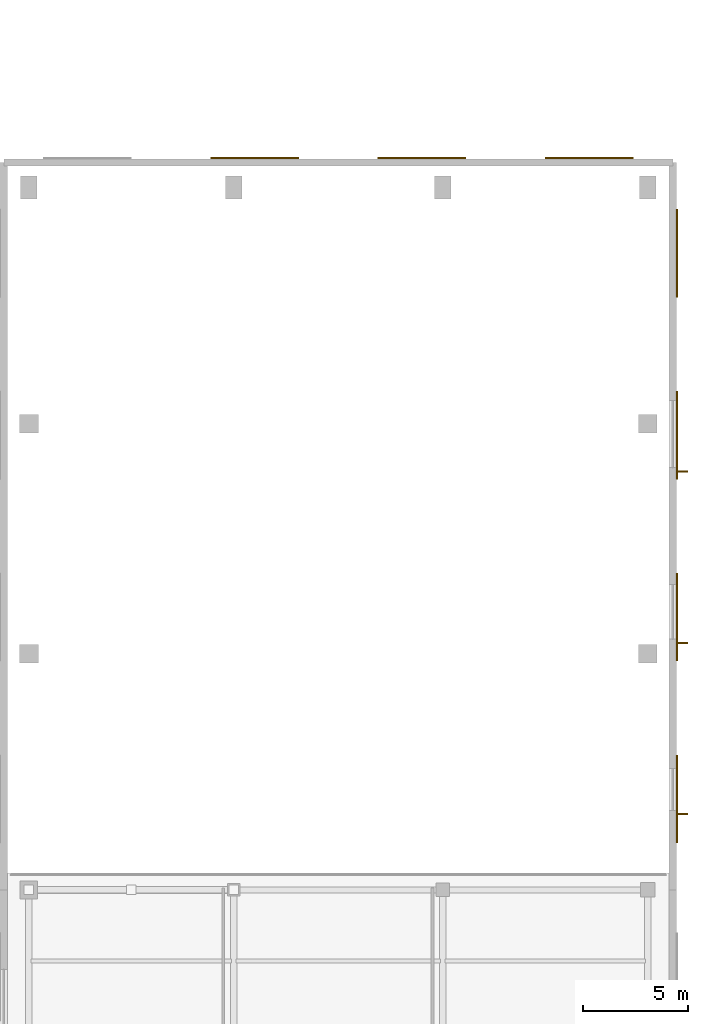
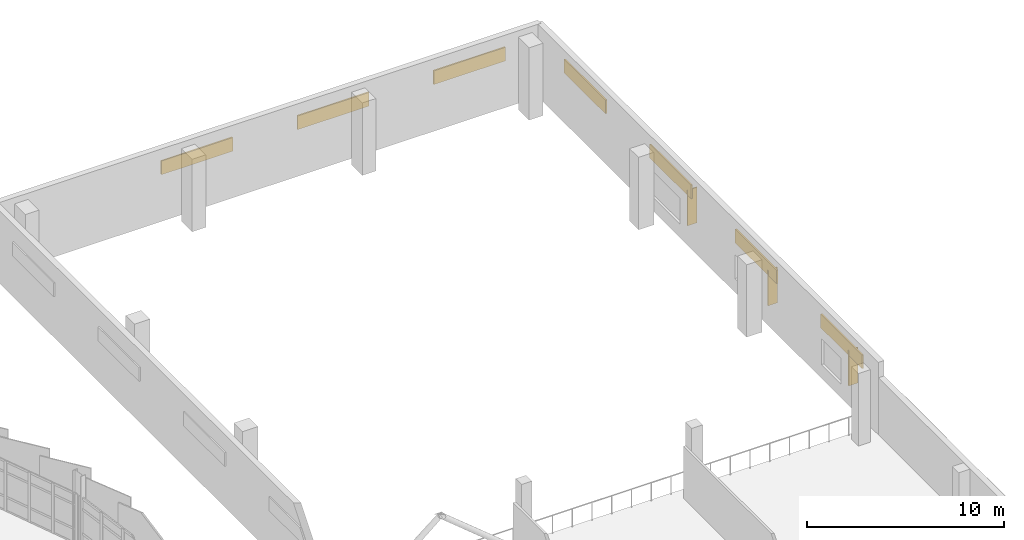
# One storey, part 134 of 134: 7 coverings, 3 shading devices.
"""IFC4 building model written with IfcOpenShell, lengths in metres."""

import ifcopenshell
import ifcopenshell.guid

model = None  # the IFC model being written
_history = None  # IfcOwnerHistory: only IFC2X3 demands one
_inside = {}  # id of a spatial element -> (the spatial element, [elements in it])
_under = {}  # id of a project, library or spatial element -> (it, [spatial elements below it])
_declared = {}  # id of a project -> (the project, [libraries it declares])
_typed = {}  # id of a type object -> (the type object, [elements of that type])
_made_of = {}  # id of a material, layer set ... -> (it, [elements and type objects made of it])


def new_model(schema):
    """Start an empty IFC model of exactly this schema.

    Asked for "IFC4X3", IfcOpenShell would pick the latest addendum, in which some entities
    have other attributes; the version numbers below select the first issue.
    IFC2X3 requires an IfcOwnerHistory on every rooted entity: one is made here for all.
    """
    global model, _history
    if schema == "IFC4X3":
        model = ifcopenshell.file(schema_version=(4, 3, 0, 0))
    else:
        model = ifcopenshell.file(schema=schema)
    _inside.clear()
    _under.clear()
    _declared.clear()
    _typed.clear()
    _made_of.clear()
    _history = None
    if model.schema == "IFC2X3":
        org = make("IfcOrganization", Name="unknown")
        user = make(
            "IfcPersonAndOrganization",
            ThePerson=make("IfcPerson", FamilyName="unknown"),
            TheOrganization=org,
        )
        app = make(
            "IfcApplication",
            ApplicationDeveloper=org,
            Version="unknown",
            ApplicationFullName="unknown",
            ApplicationIdentifier="unknown",
        )
        _history = make(
            "IfcOwnerHistory",
            OwningUser=user,
            OwningApplication=app,
            ChangeAction="ADDED",
            CreationDate=0,
        )
    return model


def make(cls, **values):
    """One entity of the class cls with the attributes given. An attribute that is None is left unset."""
    return model.create_entity(
        cls, **{name: value for name, value in values.items() if value is not None}
    )


def rooted(cls, **values):
    """An entity with a GlobalId (a new one), such as an element, a storey or a relation."""
    return make(cls, GlobalId=ifcopenshell.guid.new(), OwnerHistory=_history, **values)


def si_unit(unit_type, name, prefix=None):
    """IfcSIUnit, for example si_unit("LENGTHUNIT", "METRE", prefix="MILLI")."""
    return make("IfcSIUnit", UnitType=unit_type, Prefix=prefix, Name=name)


def assignment(units):
    """IfcUnitAssignment: the units of a project."""
    return None if units is None else make("IfcUnitAssignment", Units=units)


def point(xyz):
    """IfcCartesianPoint."""
    return None if xyz is None else make("IfcCartesianPoint", Coordinates=xyz)


def direction(xyz):
    """IfcDirection."""
    return None if xyz is None else make("IfcDirection", DirectionRatios=xyz)


def frame(location, z_axis=None, x_axis=None):
    """IfcAxis2Placement3D, a coordinate frame: its origin and axes. An axis left out is left unset."""
    return make(
        "IfcAxis2Placement3D",
        Location=point(location),
        Axis=direction(z_axis),
        RefDirection=direction(x_axis),
    )


def frame_2d(location, x_axis=None):
    """IfcAxis2Placement2D, a coordinate frame in the plane: its origin and x axis."""
    return make(
        "IfcAxis2Placement2D", Location=point(location), RefDirection=direction(x_axis)
    )


def origin():
    """The frame at (0, 0, 0) with its axes left unset."""
    return frame((0.0, 0.0, 0.0))


def origin_2d():
    """The frame at (0, 0) in the plane with its x axis left unset."""
    return frame_2d((0.0, 0.0))


def place(relative_to, where):
    """IfcLocalPlacement: puts the frame where relative to a parent placement (None: the world)."""
    return make(
        "IfcLocalPlacement", PlacementRelTo=relative_to, RelativePlacement=where
    )


def context(
    kind, dimensions, precision=None, world=None, true_north=None, identifier=None
):
    """IfcGeometricRepresentationContext, for example the 3D "Model" context."""
    return make(
        "IfcGeometricRepresentationContext",
        ContextIdentifier=identifier,
        ContextType=kind,
        CoordinateSpaceDimension=dimensions,
        Precision=precision,
        WorldCoordinateSystem=world,
        TrueNorth=true_north,
    )


def subcontext(parent, identifier, kind, view, scale=None):
    """IfcGeometricRepresentationSubContext, for example "Body" below "Model"."""
    return make(
        "IfcGeometricRepresentationSubContext",
        ContextIdentifier=identifier,
        ContextType=kind,
        ParentContext=parent,
        TargetScale=scale,
        TargetView=view,
    )


def project(units=None, contexts=None):
    """IfcProject with its units and contexts."""
    return rooted(
        "IfcProject",
        Name="project",
        RepresentationContexts=contexts,
        UnitsInContext=assignment(units),
    )


def spatial(cls, under=None, at=None, **own):
    """A site, building, storey or space (cls), placed at a placement, below another one or the project."""
    s = rooted(cls, ObjectPlacement=at, **own)
    if under is not None:
        _under.setdefault(under.id(), (under, []))[1].append(s)
    return s


def profile(cls, at=None, kind="AREA", **sizes):
    """A parametric profile (cls). Its sizes go by their IFC names, for example OverallWidth=200.0."""
    return make(cls, ProfileType=kind, Position=at, **sizes)


def rectangle(**sizes):
    """IfcRectangleProfileDef."""
    return profile("IfcRectangleProfileDef", **sizes)


def extrude(swept, where, along, depth):
    """IfcExtrudedAreaSolid: the profile swept, set in the frame where, extruded along a direction by depth."""
    return make(
        "IfcExtrudedAreaSolid",
        SweptArea=swept,
        Position=where,
        ExtrudedDirection=direction(along),
        Depth=depth,
    )


def shape(context_of_items, identifier, shape_type, items):
    """IfcShapeRepresentation: the items that make up one representation, for example the "Body"."""
    return make(
        "IfcShapeRepresentation",
        ContextOfItems=context_of_items,
        RepresentationIdentifier=identifier,
        RepresentationType=shape_type,
        Items=items,
    )


def material(Name=None, Category=None):
    """IfcMaterial."""
    return make("IfcMaterial", Name=Name, Category=Category)


def layer(
    of_material, thickness, ventilated=None, Name=None, Category=None, Priority=None
):
    """IfcMaterialLayer: one layer of a wall or slab, of a material (None: an air gap)."""
    return make(
        "IfcMaterialLayer",
        Material=of_material,
        LayerThickness=thickness,
        IsVentilated=ventilated,
        Name=Name,
        Category=Category,
        Priority=Priority,
    )


def layer_set(layers, Name=None):
    """IfcMaterialLayerSet."""
    return make("IfcMaterialLayerSet", MaterialLayers=layers, LayerSetName=Name)


def made_of(thing, what):
    """Note that an element or type object is made of a material, layer set ...; save() writes the relation."""
    if what is not None:
        _made_of.setdefault(what.id(), (what, []))[1].append(thing)
    return thing


def type_object(cls, material=None, **own):
    """A type object (cls), such as IfcWallType, which elements share."""
    return made_of(rooted(cls, **own), material)


def element(
    cls,
    number,
    at=None,
    inside=None,
    cuts=None,
    type_object=None,
    material=None,
    context=None,
    identifier="Body",
    shape_type=None,
    held_by="IfcProductDefinitionShape",
    body=None,
    shapes=None,
    **own,
):
    """One element of the class cls, such as IfcWall. Its Tag is "e" and its number.

    at: its placement. inside: the storey or other place that contains it. cuts: it is an
    opening in that element (IfcRelVoidsElement). A single representation is given by context,
    identifier, shape_type and body (its items); several are given by shapes. held_by: the class
    of the entity that holds the representations. save() writes the other relations.
    """
    e = rooted(cls, Tag="e%d" % number, ObjectPlacement=at, **own)
    if body is not None:
        shapes = [shape(context, identifier, shape_type, body)]
    if shapes is not None:
        e.Representation = make(held_by, Representations=shapes)
    if inside is not None:
        _inside.setdefault(inside.id(), (inside, []))[1].append(e)
    if cuts is not None:
        rooted(
            "IfcRelVoidsElement", RelatingBuildingElement=cuts, RelatedOpeningElement=e
        )
    if type_object is not None:
        _typed.setdefault(type_object.id(), (type_object, []))[1].append(e)
    return made_of(e, material)


def aggregate(whole, parts):
    """IfcRelAggregates: a whole, such as a stair, and the parts it consists of."""
    return rooted("IfcRelAggregates", RelatingObject=whole, RelatedObjects=parts)


def save(model, path):
    """Write the relations noted so far, then the file.

    IfcRelAggregates (storeys below a building ...), IfcRelContainedInSpatialStructure (elements
    in a storey), IfcRelDefinesByType, IfcRelAssociatesMaterial and IfcRelDeclares: one each for
    every whole, place, type object, material and project.
    """
    for whole, parts in _under.values():
        aggregate(whole, parts)
    for where, things in _inside.values():
        rooted(
            "IfcRelContainedInSpatialStructure",
            RelatedElements=things,
            RelatingStructure=where,
        )
    for kind, things in _typed.values():
        rooted("IfcRelDefinesByType", RelatedObjects=things, RelatingType=kind)
    for what, things in _made_of.values():
        rooted("IfcRelAssociatesMaterial", RelatedObjects=things, RelatingMaterial=what)
    for by, libraries in _declared.values():
        rooted("IfcRelDeclares", RelatingContext=by, RelatedDefinitions=libraries)
    model.write(path)


model = new_model("IFC4")

# Units and contexts
model_context = context("Model", 3, precision=1e-05, world=origin(), true_north=direction((0.0, 1.0)))
body_context = subcontext(model_context, "Body", "Model", "MODEL_VIEW")
ifc_project = project(units=[si_unit("LENGTHUNIT", "METRE"), si_unit("AREAUNIT", "SQUARE_METRE"), si_unit("VOLUMEUNIT", "CUBIC_METRE"), si_unit("PLANEANGLEUNIT", "RADIAN"), si_unit("MASSUNIT", "GRAM", prefix="KILO")], contexts=[model_context])

# Site, building, storey
site_placement = place(None, origin())
site = spatial("IfcSite", under=ifc_project, at=site_placement, CompositionType="ELEMENT")
building_placement = place(site_placement, origin())
building = spatial("IfcBuilding", under=site, at=building_placement, Name="Sohan Crest Arena", CompositionType="ELEMENT")
storey_placement = place(building_placement, frame((0.0, 0.0, 4.5)))
storey = spatial("IfcBuildingStorey", under=building, at=storey_placement, Name="L01", CompositionType="ELEMENT", Elevation=4.5)

# Shading devices
ifc_material_1 = material(Name="Glazed terracotta ceramic solar fin", Category="masonry")
ifc_layer_1 = layer(ifc_material_1, 0.070068359375, Name="Glazed terracotta ceramic solar fin")
ifc_layer_set_1 = layer_set([ifc_layer_1], Name="Glazed terracotta ceramic solar fin")
shading_device_type = type_object("IfcShadingDeviceType", Name="ARC-SHD-FIN1", PredefinedType="USERDEFINED", material=ifc_layer_set_1)
for number, where, z_axis, x_axis, name in (
    (1, (227.43505859375, 80.820068359375, 0.75), (0.0, 0.0, 1.0), (0.0, 1.0, 0.0), "Solar shading fin FIN-009"),
    (2, (227.43505859375, 89.02001953125, 0.75), (0.0, 0.0, 1.0), (0.0, 1.0, 0.0), "Solar shading fin FIN-010"),
    (3, (227.43505859375, 97.219970703125, 0.75), (0.0, 0.0, 1.0), (0.0, 1.0, 0.0), "Solar shading fin FIN-011"),
):
    element("IfcShadingDevice", number, at=place(storey_placement, frame(where, z_axis=z_axis, x_axis=x_axis)), inside=storey, type_object=shading_device_type, Name=name, ObjectType="FIN", PredefinedType="USERDEFINED", context=body_context, shape_type="SweptSolid", body=[
        extrude(rectangle(XDim=0.070068359375, YDim=0.550048828125, at=origin_2d()), origin(), (0.0, 0.0, 1.0), 2.199951171875),
    ])

# Coverings
ifc_material_2 = material(Name="Honed dark basalt stone cladding", Category="masonry")
ifc_layer_2 = layer(ifc_material_2, 0.0849609375, Name="Honed dark basalt stone cladding")
ifc_layer_set_2 = layer_set([ifc_layer_2], Name="Honed dark basalt stone cladding")
covering_type = type_object("IfcCoveringType", Name="COV-BAS", PredefinedType="CLADDING", material=ifc_layer_set_2)
for number, where, z_axis, x_axis, name in (
    (4, (227.20703125, 81.550048828125, 2.625), (0.0, 0.0, 1.0), (0.0, 1.0, 0.0), "Dark basalt facade panel DB-0797"),
    (5, (227.20703125, 90.25, 2.625), (0.0, 0.0, 1.0), (0.0, 1.0, 0.0), "Dark basalt facade panel DB-0798"),
    (6, (227.20703125, 98.949951171875, 2.625), (0.0, 0.0, 1.0), (0.0, 1.0, 0.0), "Dark basalt facade panel DB-0799"),
    (7, (227.20703125, 107.64990234375, 2.625), (0.0, 0.0, 1.0), (0.0, 1.0, 0.0), "Dark basalt facade panel DB-0800"),
    (8, (223.0, 112.20703125, 2.625), (0.0, 0.0, 1.0), (-1.0, 0.0, 0.0), "Dark basalt facade panel DB-0801"),
    (9, (215.0, 112.20703125, 2.625), (0.0, 0.0, 1.0), (-1.0, 0.0, 0.0), "Dark basalt facade panel DB-0802"),
    (10, (207.0, 112.20703125, 2.625), (0.0, 0.0, 1.0), (-1.0, 0.0, 0.0), "Dark basalt facade panel DB-0803"),
):
    element("IfcCovering", number, at=place(storey_placement, frame(where, z_axis=z_axis, x_axis=x_axis)), inside=storey, type_object=covering_type, Name=name, PredefinedType="CLADDING", context=body_context, shape_type="SweptSolid", body=[
        extrude(rectangle(XDim=4.199951171875, YDim=0.0849609375, at=origin_2d()), origin(), (0.0, 0.0, 1.0), 0.85009765625),
    ])

save(model, "model.ifc")
